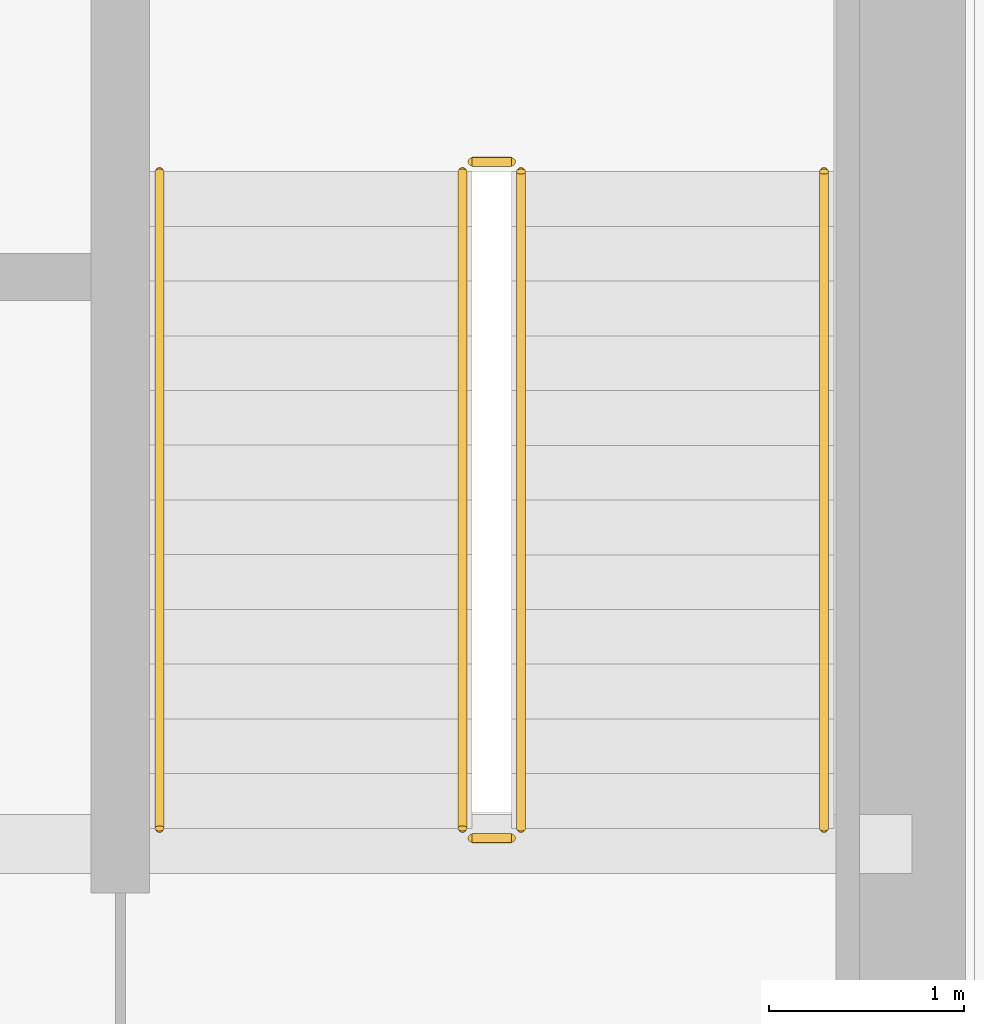
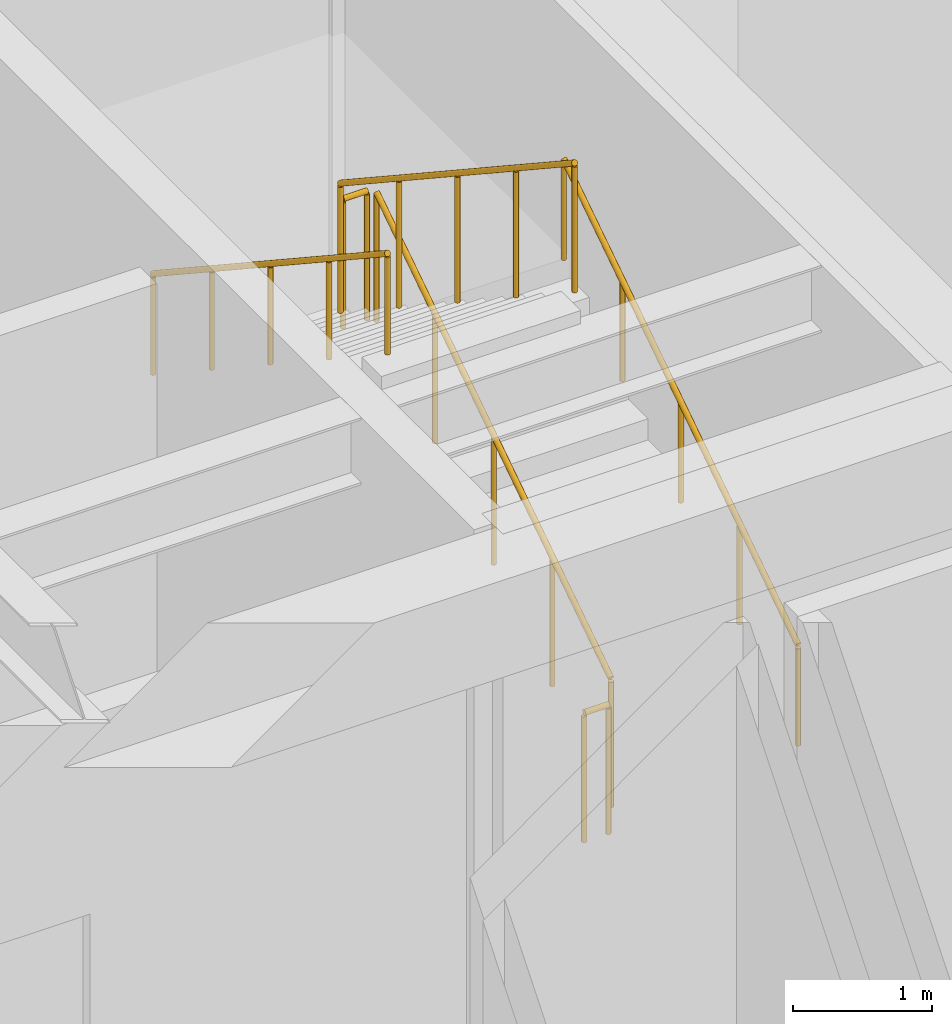
# One storey, part 36 of 37: 6 railings.
"""IFC4 building model written with IfcOpenShell, lengths in metres."""

from ifc_helpers import new_model, si_unit, direction, frame, origin, origin_2d, place, context, subcontext, project, spatial, circle, extrude, source, transform, mapped, material, type_object, type_shapes, element, save


model = new_model("IFC4")

# Units and contexts
model_context = context("Model", 3, precision=1e-05, world=origin(), true_north=direction((0.0, 1.0)))
body_context = subcontext(model_context, "Body", "Model", "MODEL_VIEW")
ifc_project = project(units=[si_unit("LENGTHUNIT", "METRE"), si_unit("AREAUNIT", "SQUARE_METRE"), si_unit("VOLUMEUNIT", "CUBIC_METRE"), si_unit("PLANEANGLEUNIT", "RADIAN"), si_unit("MASSUNIT", "GRAM", prefix="KILO")], contexts=[model_context])

# Site, building, storey
site_placement = place(None, origin())
site = spatial("IfcSite", under=ifc_project, at=site_placement, CompositionType="ELEMENT")
building_placement = place(site_placement, origin())
building = spatial("IfcBuilding", under=site, at=building_placement, Name="Haelvirn Gate Laboratories", CompositionType="ELEMENT")
storey_placement = place(building_placement, frame((0.0, 0.0, 196.60009765625)))
storey = spatial("IfcBuildingStorey", under=building, at=storey_placement, Name="L47", CompositionType="ELEMENT", Elevation=196.60009765625)

# Railings
ifc_material_1 = material(Name="Galvanised steel SM355 & stainless top rail", Category="steel")
railing_type_1 = type_object("IfcRailingType", Name="RL-GUARD-1150", PredefinedType="GUARDRAIL", material=ifc_material_1)
shared_shape_1 = source(origin(), body_context, "Body", "SweptSolid", [
    extrude(circle(Radius=0.02392578125, at=origin_2d()), frame((0.0, 0.0, 1.1259765625), z_axis=(0.0, 0.834876476806, 0.550437342915), x_axis=(-1.0, 0.0, 0.0)), (0.0, 0.0, 1.0), 4.024658203125),
    extrude(circle(Radius=0.02099609375, at=origin_2d()), origin(), (0.0, 0.0, 1.0), 1.101806640625),
    extrude(circle(Radius=0.02099609375, at=origin_2d()), frame((0.0, 0.840087890625, 0.5537109375)), (0.0, 0.0, 1.0), 1.101806640625),
    extrude(circle(Radius=0.02099609375, at=origin_2d()), frame((0.0, 1.68017578125, 1.107666015625)), (0.0, 0.0, 1.0), 1.101806640625),
    extrude(circle(Radius=0.02099609375, at=origin_2d()), frame((0.0, 2.52001953125, 1.66162109375)), (0.0, 0.0, 1.0), 1.101806640625),
    extrude(circle(Radius=0.02099609375, at=origin_2d()), frame((0.0, 3.360107421875, 2.21533203125)), (0.0, 0.0, 1.0), 1.101806640625),
])
railing_1_placement = place(storey_placement, frame((65.39990234375, 26.699951171875, 0.1845703125)))
element("IfcRailing", 1, at=railing_1_placement, inside=storey, type_object=railing_type_1, Name="L47 ST2 stair guard 1", PredefinedType="GUARDRAIL", context=body_context, shape_type="MappedRepresentation", body=[
    mapped(shared_shape_1, transform((0.0, 0.0, 0.0), scale=1.0)),
])
shared_shape_2 = source(origin(), body_context, "Body", "SweptSolid", [
    extrude(circle(Radius=0.02392578125, at=origin_2d()), frame((0.0, 0.0, 1.1259765625), z_axis=(0.0, -0.834876476806, 0.550437342915), x_axis=(1.0, 0.0, 0.0)), (0.0, 0.0, 1.0), 4.024658203125),
    extrude(circle(Radius=0.02099609375, at=origin_2d()), origin(), (0.0, 0.0, 1.0), 1.101806640625),
    extrude(circle(Radius=0.02099609375, at=origin_2d()), frame((0.0, -0.840087890625, 0.5537109375)), (0.0, 0.0, 1.0), 1.101806640625),
    extrude(circle(Radius=0.02099609375, at=origin_2d()), frame((0.0, -1.68017578125, 1.107666015625)), (0.0, 0.0, 1.0), 1.101806640625),
    extrude(circle(Radius=0.02099609375, at=origin_2d()), frame((0.0, -2.52001953125, 1.66162109375)), (0.0, 0.0, 1.0), 1.101806640625),
    extrude(circle(Radius=0.02099609375, at=origin_2d()), frame((0.0, -3.360107421875, 2.21533203125)), (0.0, 0.0, 1.0), 1.101806640625),
])
railing_2_placement = place(storey_placement, frame((65.10009765625, 30.06005859375, 2.58447265625)))
element("IfcRailing", 2, at=railing_2_placement, inside=storey, type_object=railing_type_1, Name="L47 ST2 stair guard 3", PredefinedType="GUARDRAIL", context=body_context, shape_type="MappedRepresentation", body=[
    mapped(shared_shape_2, transform((0.0, 0.0, 0.0), scale=1.0)),
])
ifc_material_2 = material(Name="Brushed stainless steel 316L", Category="steel")
railing_type_2 = type_object("IfcRailingType", Name="RL-HAND-920", PredefinedType="HANDRAIL", material=ifc_material_2)
shared_shape_3 = source(origin(), body_context, "Body", "SweptSolid", [
    extrude(circle(Radius=0.02392578125, at=origin_2d()), frame((0.0, 0.0, 0.8759765625), z_axis=(0.0, 0.834876476806, 0.550437342915), x_axis=(-1.0, 0.0, 0.0)), (0.0, 0.0, 1.0), 4.024658203125),
    extrude(circle(Radius=0.02099609375, at=origin_2d()), origin(), (0.0, 0.0, 1.0), 0.851806640625),
    extrude(circle(Radius=0.02099609375, at=origin_2d()), frame((0.0, 0.840087890625, 0.5537109375)), (0.0, 0.0, 1.0), 0.851806640625),
    extrude(circle(Radius=0.02099609375, at=origin_2d()), frame((0.0, 1.68017578125, 1.107666015625)), (0.0, 0.0, 1.0), 0.851806640625),
    extrude(circle(Radius=0.02099609375, at=origin_2d()), frame((0.0, 2.52001953125, 1.66162109375)), (0.0, 0.0, 1.0), 0.851806640625),
    extrude(circle(Radius=0.02099609375, at=origin_2d()), frame((0.0, 3.360107421875, 2.21533203125)), (0.0, 0.0, 1.0), 0.851806640625),
])
railing_3_placement = place(storey_placement, frame((66.949951171875, 26.699951171875, 0.1845703125)))
element("IfcRailing", 3, at=railing_3_placement, inside=storey, type_object=railing_type_2, Name="L47 ST2 stair handrail 1", PredefinedType="HANDRAIL", context=body_context, shape_type="MappedRepresentation", body=[
    mapped(shared_shape_3, transform((0.0, 0.0, 0.0), scale=1.0)),
])
shared_shape_4 = source(origin(), body_context, "Body", "SweptSolid", [
    extrude(circle(Radius=0.02392578125, at=origin_2d()), frame((0.0, 0.0, 0.8759765625), z_axis=(0.0, -0.834876476806, 0.550437342915), x_axis=(1.0, 0.0, 0.0)), (0.0, 0.0, 1.0), 4.024658203125),
    extrude(circle(Radius=0.02099609375, at=origin_2d()), origin(), (0.0, 0.0, 1.0), 0.851806640625),
    extrude(circle(Radius=0.02099609375, at=origin_2d()), frame((0.0, -0.840087890625, 0.5537109375)), (0.0, 0.0, 1.0), 0.851806640625),
    extrude(circle(Radius=0.02099609375, at=origin_2d()), frame((0.0, -1.68017578125, 1.107666015625)), (0.0, 0.0, 1.0), 0.851806640625),
    extrude(circle(Radius=0.02099609375, at=origin_2d()), frame((0.0, -2.52001953125, 1.66162109375)), (0.0, 0.0, 1.0), 0.851806640625),
    extrude(circle(Radius=0.02099609375, at=origin_2d()), frame((0.0, -3.360107421875, 2.21533203125)), (0.0, 0.0, 1.0), 0.851806640625),
])
type_shapes(railing_type_2, [shared_shape_3, shared_shape_4])
railing_4_placement = place(storey_placement, frame((63.550048828125, 30.06005859375, 2.58447265625)))
element("IfcRailing", 4, at=railing_4_placement, inside=storey, type_object=railing_type_2, Name="L47 ST2 stair handrail 2", PredefinedType="HANDRAIL", context=body_context, shape_type="MappedRepresentation", body=[
    mapped(shared_shape_4, transform((0.0, 0.0, 0.0), scale=1.0)),
])
shared_shape_5 = source(origin(), body_context, "Body", "SweptSolid", [
    extrude(circle(Radius=0.02392578125, at=origin_2d()), frame((0.0, 0.0, 1.1259765625), z_axis=(-1.0, 0.0, 0.0), x_axis=(0.0, -1.0, 0.0)), (0.0, 0.0, 1.0), 0.2001953125),
    extrude(circle(Radius=0.02099609375, at=origin_2d()), origin(), (0.0, 0.0, 1.0), 1.101806640625),
    extrude(circle(Radius=0.02099609375, at=origin_2d()), frame((-0.2001953125, 0.0, 0.0)), (0.0, 0.0, 1.0), 1.101806640625),
])
type_shapes(railing_type_1, [shared_shape_1, shared_shape_2, shared_shape_5])
for number, where, name in (
    (5, (65.35009765625, 30.110107421875, 2.39990234375), "L47 ST2 stair guard 2"),
    (6, (65.35009765625, 26.64990234375, 0.0), "L47 ST2 stair guard 4"),
):
    element("IfcRailing", number, at=place(storey_placement, frame(where)), inside=storey, type_object=railing_type_1, Name=name, PredefinedType="GUARDRAIL", context=body_context, shape_type="MappedRepresentation", body=[
        mapped(shared_shape_5, transform((0.0, 0.0, 0.0), scale=1.0)),
    ])

save(model, "model.ifc")
